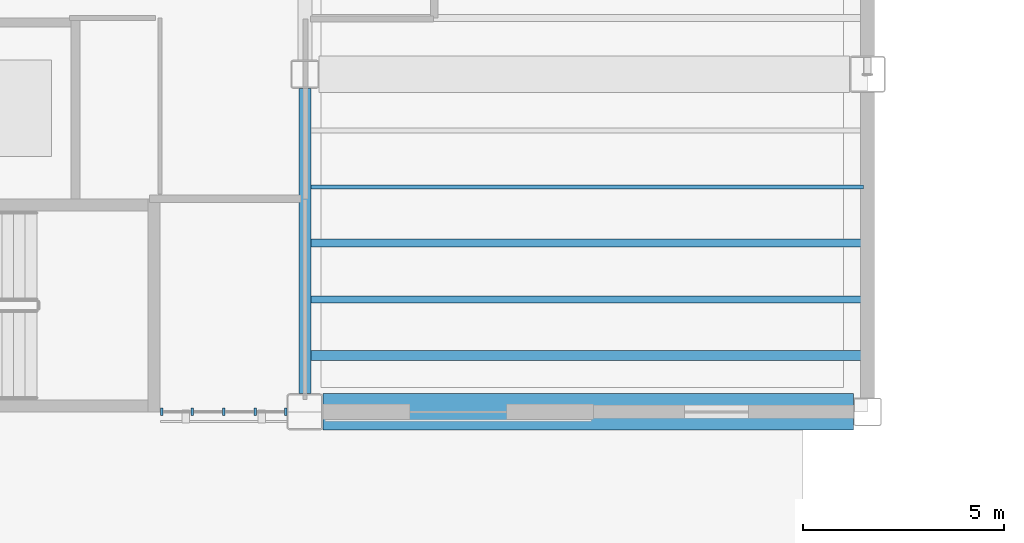
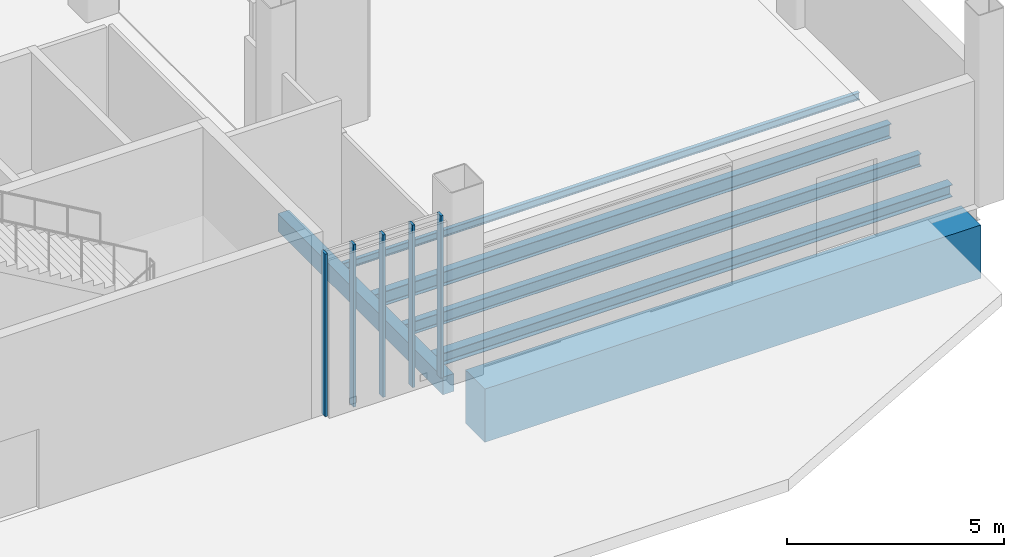
# One storey, part 19 of 111: 6 beams, 5 members, 1 element without a shape of its own.
"""IFC4 building model written with IfcOpenShell, lengths in metres."""

from ifc_helpers import new_model, si_unit, direction, frame, origin, origin_2d, place, context, subcontext, project, spatial, rectangle, i_section, extrude, material, material_profile, profile_set, type_object, element, aggregate, save


model = new_model("IFC4")

# Units and contexts
model_context = context("Model", 3, precision=1e-05, world=origin(), true_north=direction((0.0, 1.0)))
body_context = subcontext(model_context, "Body", "Model", "MODEL_VIEW")
ifc_project = project(units=[si_unit("LENGTHUNIT", "METRE"), si_unit("AREAUNIT", "SQUARE_METRE"), si_unit("VOLUMEUNIT", "CUBIC_METRE"), si_unit("PLANEANGLEUNIT", "RADIAN"), si_unit("MASSUNIT", "GRAM", prefix="KILO")], contexts=[model_context])

# Site, building, storey
site_placement = place(None, origin())
site = spatial("IfcSite", under=ifc_project, at=site_placement, CompositionType="ELEMENT")
building_placement = place(site_placement, origin())
building = spatial("IfcBuilding", under=site, at=building_placement, Name="Larkvane Passage Sports Hall", CompositionType="ELEMENT")
storey_placement = place(building_placement, origin())
storey = spatial("IfcBuildingStorey", under=building, at=storey_placement, Name="L00", CompositionType="ELEMENT", Elevation=0.0)

# Beam
ifc_material_1 = material(Name="Concrete C40/50", Category="concrete")
ifc_material_profile_1 = material_profile(ifc_material_1, rectangle(XDim=0.300048828125, YDim=0.5, at=origin_2d()), Name="RC-BM-300x500")
ifc_profile_set_1 = profile_set([ifc_material_profile_1], Name="Concrete C40/50")
beam_type_1 = type_object("IfcBeamType", Name="BM-RC-300x500", PredefinedType="BEAM", material=ifc_profile_set_1)
beam_1_placement = place(storey_placement, frame((131.60009765625, 23.25, -0.669921875), z_axis=(0.0, 1.0, 0.0), x_axis=(-1.0, 0.0, 0.0)))
element("IfcBeam", 1, at=beam_1_placement, inside=storey, type_object=beam_type_1, Name="Girder BM5-Y-L00-18-0131", PredefinedType="BEAM", context=body_context, shape_type="SweptSolid", body=[
    extrude(rectangle(XDim=0.300048828125, YDim=0.5, at=origin_2d()), origin(), (0.0, 0.0, 1.0), 7.60009765625),
])

# Curtain wall, members
ifc_material_2 = material(Name="Thermally broken aluminium and low-E glazing", Category="aluminium")
curtain_wall_type = type_object("IfcCurtainWallType", Name="CW-UNIT-COURT", PredefinedType="USERDEFINED", material=ifc_material_2)
curtain_wall_placement = place(storey_placement, origin())
curtain_wall = element("IfcCurtainWall", 2, at=curtain_wall_placement, inside=storey, type_object=curtain_wall_type, Name="Curtain wall CW5-L00-024", ObjectType="UNITISED CURTAIN WALL", PredefinedType="USERDEFINED")
ifc_material_3 = material(Name="Anodised aluminium 6063-T6", Category="aluminium")
ifc_material_profile_2 = material_profile(ifc_material_3, rectangle(XDim=0.06494140625, YDim=0.179931640625, at=origin_2d()), Name="ALU-MUL-65x180")
ifc_profile_set_2 = profile_set([ifc_material_profile_2], Name="Anodised aluminium 6063-T6")
member_type = type_object("IfcMemberType", Name="CW-MUL-65x180", PredefinedType="MULLION", material=ifc_profile_set_2)
member_1_placement = place(storey_placement, frame((131.12158203125, 22.800048828125, 0.0), z_axis=(0.0, 0.0, 1.0), x_axis=(-1.0, 0.0, 0.0)))
member_1 = element("IfcMember", 3, at=member_1_placement, type_object=member_type, Name="CW-01 mullion 1", PredefinedType="MULLION", context=body_context, shape_type="SweptSolid", body=[
    extrude(rectangle(XDim=0.06494140625, YDim=0.179931640625, at=origin_2d()), origin(), (0.0, 0.0, 1.0), 4.570068359375),
])
member_2_placement = place(storey_placement, frame((130.367919921875, 22.800048828125, 0.0), z_axis=(0.0, 0.0, 1.0), x_axis=(-1.0, 0.0, 0.0)))
member_2 = element("IfcMember", 4, at=member_2_placement, type_object=member_type, Name="CW-01 mullion 2", PredefinedType="MULLION", context=body_context, shape_type="SweptSolid", body=[
    extrude(rectangle(XDim=0.06494140625, YDim=0.179931640625, at=origin_2d()), origin(), (0.0, 0.0, 1.0), 4.570068359375),
])
member_3_placement = place(storey_placement, frame((129.58203125, 22.800048828125, 0.0), z_axis=(0.0, 0.0, 1.0), x_axis=(-1.0, 0.0, 0.0)))
member_3 = element("IfcMember", 5, at=member_3_placement, type_object=member_type, Name="CW-01 mullion 3", PredefinedType="MULLION", context=body_context, shape_type="SweptSolid", body=[
    extrude(rectangle(XDim=0.06494140625, YDim=0.179931640625, at=origin_2d()), origin(), (0.0, 0.0, 1.0), 4.570068359375),
])
member_4_placement = place(storey_placement, frame((128.7958984375, 22.800048828125, 0.0), z_axis=(0.0, 0.0, 1.0), x_axis=(-1.0, 0.0, 0.0)))
member_4 = element("IfcMember", 6, at=member_4_placement, type_object=member_type, Name="CW-01 mullion 4", PredefinedType="MULLION", context=body_context, shape_type="SweptSolid", body=[
    extrude(rectangle(XDim=0.06494140625, YDim=0.179931640625, at=origin_2d()), origin(), (0.0, 0.0, 1.0), 4.570068359375),
])
member_5_placement = place(storey_placement, frame((128.04248046875, 22.800048828125, 0.0), z_axis=(0.0, 0.0, 1.0), x_axis=(-1.0, 0.0, 0.0)))
member_5 = element("IfcMember", 7, at=member_5_placement, type_object=member_type, Name="CW-01 mullion 5", PredefinedType="MULLION", context=body_context, shape_type="SweptSolid", body=[
    extrude(rectangle(XDim=0.06494140625, YDim=0.179931640625, at=origin_2d()), origin(), (0.0, 0.0, 1.0), 4.570068359375),
])
aggregate(curtain_wall, [member_1, member_2, member_3, member_4, member_5])

# Beams
ifc_material_4 = material(Name="Steel S355JR", Category="steel")
ifc_material_profile_3 = material_profile(ifc_material_4, i_section(OverallWidth=0.10009765625, OverallDepth=0.199951171875, WebThickness=0.005615234375, FlangeThickness=0.008056640625, FilletRadius=0.008056640625, at=origin_2d()), Name="H-200x100x5.5x8")
ifc_profile_set_3 = profile_set([ifc_material_profile_3], Name="Steel S355JR")
beam_type_2 = type_object("IfcBeamType", Name="JST-STL-H200", PredefinedType="JOIST", material=ifc_profile_set_3)
beam_2_placement = place(storey_placement, frame((131.75, 28.39990234375, -0.52001953125), z_axis=(1.0, 0.0, 0.0), x_axis=(0.0, 1.0, 0.0)))
element("IfcBeam", 8, at=beam_2_placement, inside=storey, type_object=beam_type_2, Name="Composite joist L00 18/D-4", PredefinedType="JOIST", context=body_context, shape_type="SweptSolid", body=[
    extrude(i_section(OverallWidth=0.10009765625, OverallDepth=0.199951171875, WebThickness=0.005615234375, FlangeThickness=0.008056640625, FilletRadius=0.008056640625, at=origin_2d()), origin(), (0.0, 0.0, 1.0), 13.75),
])
ifc_material_profile_4 = material_profile(ifc_material_4, i_section(OverallWidth=0.25, OverallDepth=0.340087890625, WebThickness=0.009033203125, FlangeThickness=0.013916015625, FilletRadius=0.012939453125, at=origin_2d()), Name="H-340x250x9x14")
ifc_profile_set_4 = profile_set([ifc_material_profile_4], Name="Steel S355JR")
beam_type_3 = type_object("IfcBeamType", Name="JST-STL-H340", PredefinedType="JOIST", material=ifc_profile_set_4)
beam_3_placement = place(storey_placement, frame((131.75, 24.199951171875, -0.590087890625), z_axis=(1.0, 0.0, 0.0), x_axis=(0.0, 1.0, 0.0)))
element("IfcBeam", 9, at=beam_3_placement, inside=storey, type_object=beam_type_3, Name="Composite joist L00 18/D-1", PredefinedType="JOIST", context=body_context, shape_type="SweptSolid", body=[
    extrude(i_section(OverallWidth=0.25, OverallDepth=0.340087890625, WebThickness=0.009033203125, FlangeThickness=0.013916015625, FilletRadius=0.012939453125, at=origin_2d()), origin(), (0.0, 0.0, 1.0), 13.75),
])
ifc_material_profile_5 = material_profile(ifc_material_4, i_section(OverallWidth=0.175048828125, OverallDepth=0.35009765625, WebThickness=0.007080078125, FlangeThickness=0.010986328125, FilletRadius=0.012939453125, at=origin_2d()), Name="H-350x175x7x11")
ifc_profile_set_5 = profile_set([ifc_material_profile_5], Name="Steel S355JR")
beam_type_4 = type_object("IfcBeamType", Name="JST-STL-H350", PredefinedType="JOIST", material=ifc_profile_set_5)
beam_4_placement = place(storey_placement, frame((131.75, 25.60009765625, -0.594970703125), z_axis=(1.0, 0.0, 0.0), x_axis=(0.0, 1.0, 0.0)))
element("IfcBeam", 10, at=beam_4_placement, inside=storey, type_object=beam_type_4, Name="Composite joist L00 18/D-2", PredefinedType="JOIST", context=body_context, shape_type="SweptSolid", body=[
    extrude(i_section(OverallWidth=0.175048828125, OverallDepth=0.35009765625, WebThickness=0.007080078125, FlangeThickness=0.010986328125, FilletRadius=0.012939453125, at=origin_2d()), origin(), (0.0, 0.0, 1.0), 13.75),
])
ifc_material_profile_6 = material_profile(ifc_material_4, i_section(OverallWidth=0.199951171875, OverallDepth=0.39990234375, WebThickness=0.008056640625, FlangeThickness=0.012939453125, FilletRadius=0.012939453125, at=origin_2d()), Name="H-400x200x8x13")
ifc_profile_set_6 = profile_set([ifc_material_profile_6], Name="Steel S355JR")
beam_type_5 = type_object("IfcBeamType", Name="JST-STL-H400", PredefinedType="JOIST", material=ifc_profile_set_6)
beam_5_placement = place(storey_placement, frame((131.75, 27.0, -0.6201171875), z_axis=(1.0, 0.0, 0.0), x_axis=(0.0, 1.0, 0.0)))
element("IfcBeam", 11, at=beam_5_placement, inside=storey, type_object=beam_type_5, Name="Composite joist L00 18/D-3", PredefinedType="JOIST", context=body_context, shape_type="SweptSolid", body=[
    extrude(i_section(OverallWidth=0.199951171875, OverallDepth=0.39990234375, WebThickness=0.008056640625, FlangeThickness=0.012939453125, FilletRadius=0.012939453125, at=origin_2d()), origin(), (0.0, 0.0, 1.0), 13.75),
])
ifc_material_5 = material(Name="Concrete C50/60", Category="concrete")
ifc_material_profile_7 = material_profile(ifc_material_5, rectangle(XDim=0.89990234375, YDim=1.5, at=origin_2d()), Name="PT-GIR-900x1500")
ifc_profile_set_7 = profile_set([ifc_material_profile_7], Name="Concrete C50/60")
beam_type_6 = type_object("IfcBeamType", Name="PTG-900x1500", PredefinedType="BEAM", material=ifc_profile_set_7)
beam_6_placement = place(storey_placement, frame((132.050048828125, 22.800048828125, -1.169921875), z_axis=(1.0, 0.0, 0.0), x_axis=(0.0, 1.0, 0.0)))
element("IfcBeam", 12, at=beam_6_placement, inside=storey, type_object=beam_type_6, Name="Post-tensioned transfer girder BM5-X-L00-D-0019", PredefinedType="BEAM", context=body_context, shape_type="SweptSolid", body=[
    extrude(rectangle(XDim=0.89990234375, YDim=1.5, at=origin_2d()), origin(), (0.0, 0.0, 1.0), 13.199951171875),
])

save(model, "model.ifc")
